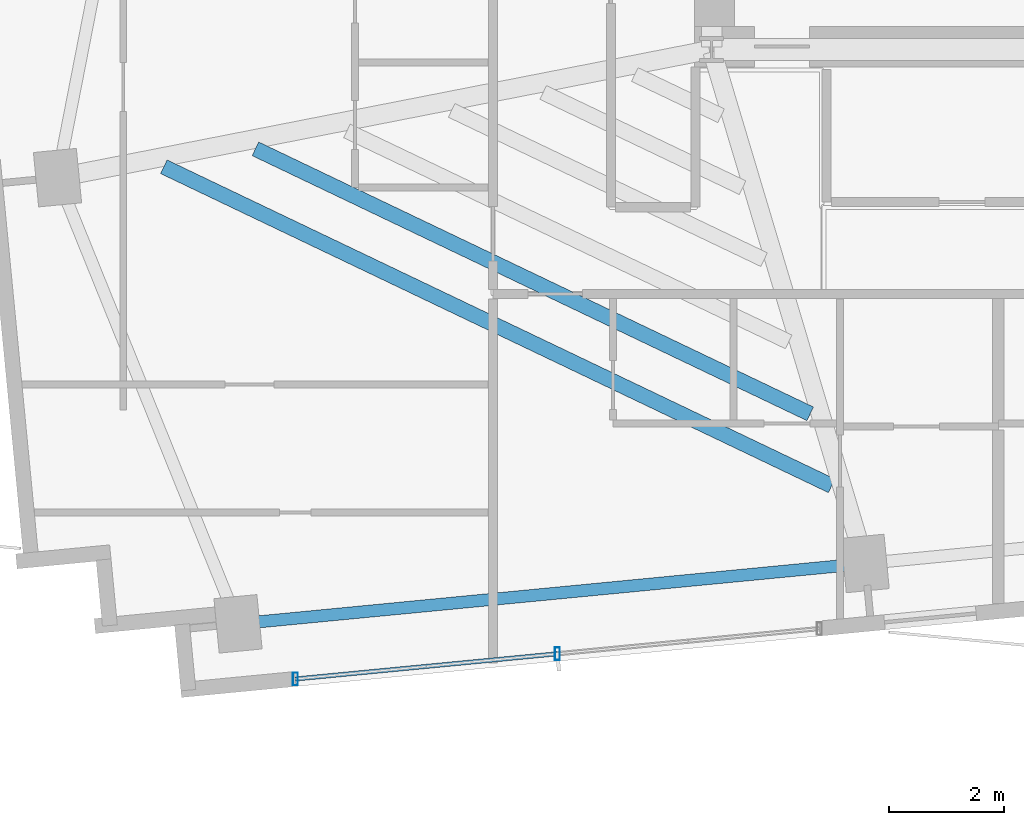
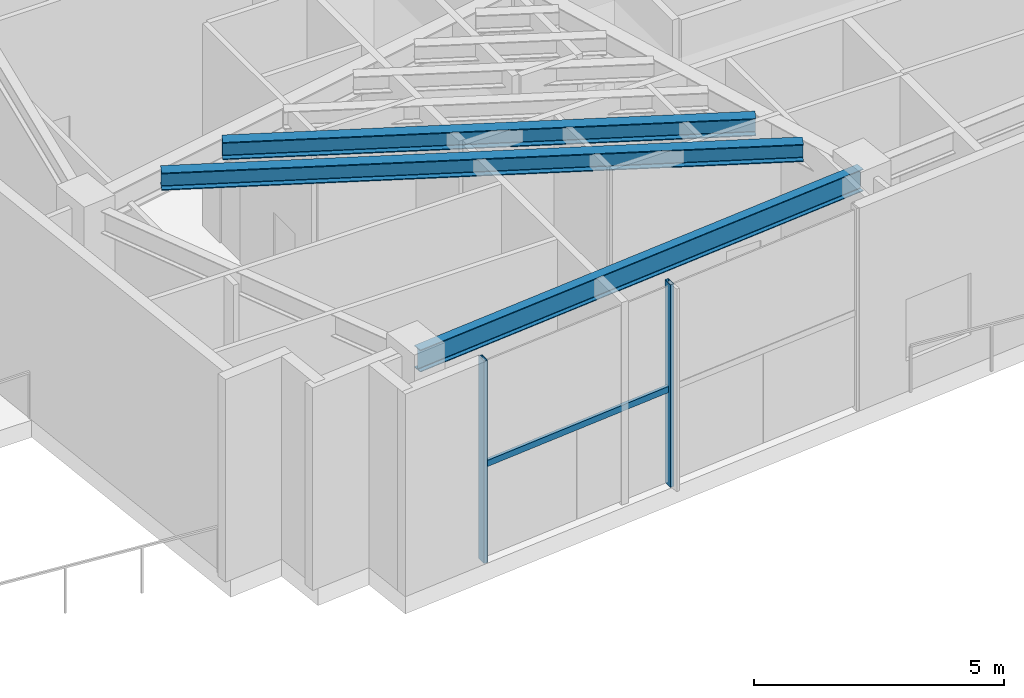
# One storey, part 2 of 21: 3 beams, 3 members, 1 element without a shape of its own.
"""IFC4 building model written with IfcOpenShell, lengths in metres."""

from ifc_helpers import new_model, si_unit, direction, frame, origin, origin_2d, place, context, subcontext, project, spatial, hollow_rectangle, i_section, extrude, source, transform, mapped, material, material_profile, profile_set, type_object, type_shapes, element, aggregate, save


model = new_model("IFC4")

# Units and contexts
model_context = context("Model", 3, precision=1e-05, world=origin(), true_north=direction((0.0, 1.0)))
body_context = subcontext(model_context, "Body", "Model", "MODEL_VIEW")
ifc_project = project(units=[si_unit("LENGTHUNIT", "METRE"), si_unit("AREAUNIT", "SQUARE_METRE"), si_unit("VOLUMEUNIT", "CUBIC_METRE"), si_unit("PLANEANGLEUNIT", "RADIAN"), si_unit("MASSUNIT", "GRAM", prefix="KILO")], contexts=[model_context])

# Site, building, storey
site_placement = place(None, origin())
site = spatial("IfcSite", under=ifc_project, at=site_placement, CompositionType="ELEMENT")
building_placement = place(site_placement, origin())
building = spatial("IfcBuilding", under=site, at=building_placement, Name="Astriad Promenade Condominiums", CompositionType="ELEMENT")
storey_placement = place(building_placement, frame((0.0, 0.0, 167.800048828125)))
storey = spatial("IfcBuildingStorey", under=building, at=storey_placement, Name="L48", CompositionType="ELEMENT", Elevation=167.800048828125)

# Beams
ifc_material_1 = material(Name="Steel ASTM A992 Grade 50", Category="steel")
ifc_material_profile_1 = material_profile(ifc_material_1, i_section(OverallWidth=0.210693359375, OverallDepth=0.53955078125, WebThickness=0.01171875, FlangeThickness=0.018798828125, FilletRadius=0.0166015625, at=origin_2d()), Name="W21X73")
ifc_profile_set_1 = profile_set([ifc_material_profile_1], Name="Steel ASTM A992 Grade 50")
beam_type_1 = type_object("IfcBeamType", Name="STEEL SPANDREL BEAM W21X73", PredefinedType="SPANDREL", material=ifc_profile_set_1)
shared_shape_1 = source(origin(), body_context, "Body", "SweptSolid", [
    extrude(i_section(OverallWidth=0.210693359375, OverallDepth=0.53955078125, WebThickness=0.01171875, FlangeThickness=0.018798828125, FilletRadius=0.0166015625, at=origin_2d()), origin(), (0.0, 0.0, 1.0), 10.8701171875),
])
type_shapes(beam_type_1, [shared_shape_1])
beam_1_placement = place(storey_placement, frame((18.209228515625, 7.421630859375, 4.670166015625), z_axis=(0.995394986184, 0.09585834069, 0.0), x_axis=(-0.09585834069, 0.995394986184, 0.0)))
element("IfcBeam", 1, at=beam_1_placement, inside=storey, type_object=beam_type_1, Name="Perimeter Spandrel Beam SP-S1-L48", PredefinedType="SPANDREL", context=body_context, shape_type="MappedRepresentation", body=[
    mapped(shared_shape_1, transform((0.0, 0.0, 0.0), scale=1.0)),
])
ifc_material_profile_2 = material_profile(ifc_material_1, i_section(OverallWidth=0.26318359375, OverallDepth=0.425537109375, WebThickness=0.01318359375, FlangeThickness=0.022216796875, FilletRadius=0.013916015625, at=origin_2d()), Name="W16X89")
ifc_profile_set_2 = profile_set([ifc_material_profile_2], Name="Steel ASTM A992 Grade 50")
beam_type_2 = type_object("IfcBeamType", Name="STEEL FLOOR JOIST W16X89", PredefinedType="JOIST", material=ifc_profile_set_2)
shared_shape_2 = source(origin(), body_context, "Body", "SweptSolid", [
    extrude(i_section(OverallWidth=0.26318359375, OverallDepth=0.425537109375, WebThickness=0.01318359375, FlangeThickness=0.022216796875, FilletRadius=0.013916015625, at=origin_2d()), origin(), (0.0, 0.0, 1.0), 12.864013671875),
])
beam_2_placement = place(storey_placement, frame((16.8798828125, 15.362060546875, 4.727294921875), z_axis=(0.902332932985, -0.431039763886, 0.0), x_axis=(0.431039763886, 0.902332932985, 0.0)))
element("IfcBeam", 2, at=beam_2_placement, inside=storey, type_object=beam_type_2, Name="Secondary Composite Floor Joist JW1-1-L48", PredefinedType="JOIST", context=body_context, shape_type="MappedRepresentation", body=[
    mapped(shared_shape_2, transform((0.0, 0.0, 0.0), scale=1.0)),
])
shared_shape_3 = source(origin(), body_context, "Body", "SweptSolid", [
    extrude(i_section(OverallWidth=0.26318359375, OverallDepth=0.425537109375, WebThickness=0.01318359375, FlangeThickness=0.022216796875, FilletRadius=0.013916015625, at=origin_2d()), origin(), (0.0, 0.0, 1.0), 10.686279296875),
])
type_shapes(beam_type_2, [shared_shape_2, shared_shape_3])
beam_3_placement = place(storey_placement, frame((18.471435546875, 15.673828125, 4.727294921875), z_axis=(0.902342124644, -0.431020521661, 0.0), x_axis=(0.431020521661, 0.902342124644, 0.0)))
element("IfcBeam", 3, at=beam_3_placement, inside=storey, type_object=beam_type_2, Name="Secondary Composite Floor Joist JW1-2-L48", PredefinedType="JOIST", context=body_context, shape_type="MappedRepresentation", body=[
    mapped(shared_shape_3, transform((0.0, 0.0, 0.0), scale=1.0)),
])

# Curtain wall, members
ifc_material_2 = material(Name="Anodised aluminium Black Dark Glass Unitised", Category="aluminium")
curtain_wall_type = type_object("IfcCurtainWallType", Name="CW-B34-DARK", PredefinedType="USERDEFINED", material=ifc_material_2)
curtain_wall_placement = place(storey_placement, origin())
curtain_wall = element("IfcCurtainWall", 4, at=curtain_wall_placement, inside=storey, type_object=curtain_wall_type, Name="CW-L48-S-5", ObjectType="UNITISED_CURTAIN_WALL", PredefinedType="USERDEFINED")
ifc_material_3 = material(Name="Anodised aluminium 6063-T6 Black", Category="aluminium")
ifc_material_profile_3 = material_profile(ifc_material_3, hollow_rectangle(XDim=0.0849609375, YDim=0.219970703125, WallThickness=0.0048828125, at=origin_2d()), Name="ALU-MUL-85X220")
ifc_profile_set_3 = profile_set([ifc_material_profile_3], Name="Anodised aluminium 6063-T6 Black")
member_type_1 = type_object("IfcMemberType", Name="MUL-ALU-MUL-85X220", PredefinedType="MULLION", material=ifc_profile_set_3)
shared_shape_4 = source(origin(), body_context, "Body", "SweptSolid", [
    extrude(hollow_rectangle(XDim=0.0849609375, YDim=0.219970703125, WallThickness=0.0048828125, at=origin_2d()), origin(), (0.0, 0.0, 1.0), 4.93994140625),
])
type_shapes(member_type_1, [shared_shape_4])
member_1_placement = place(storey_placement, frame((23.719970703125, 6.8974609375, 0.0), z_axis=(0.0, 0.0, 1.0), x_axis=(1.0, 0.0, 0.0)))
member_1 = element("IfcMember", 5, at=member_1_placement, type_object=member_type_1, Name="CW-L48-S-5-MUL-01", PredefinedType="MULLION", context=body_context, shape_type="MappedRepresentation", body=[
    mapped(shared_shape_4, transform((0.0, 0.0, 0.0), scale=1.0)),
])
member_2_placement = place(storey_placement, frame((19.166015625, 6.458984375, 0.0), z_axis=(0.0, 0.0, 1.0), x_axis=(1.0, 0.0, 0.0)))
member_2 = element("IfcMember", 6, at=member_2_placement, type_object=member_type_1, Name="CW-L48-S-5-MUL-02", PredefinedType="MULLION", context=body_context, shape_type="MappedRepresentation", body=[
    mapped(shared_shape_4, transform((0.0, 0.0, 0.0), scale=1.0)),
])
ifc_material_profile_4 = material_profile(ifc_material_3, hollow_rectangle(XDim=0.074951171875, YDim=0.14990234375, WallThickness=0.004150390625, at=origin_2d()), Name="ALU-TRN-75X150")
ifc_profile_set_4 = profile_set([ifc_material_profile_4], Name="Anodised aluminium 6063-T6 Black")
member_type_2 = type_object("IfcMemberType", Name="TRN-ALU-TRN-75X150", PredefinedType="USERDEFINED", material=ifc_profile_set_4)
shared_shape_5 = source(origin(), body_context, "Body", "SweptSolid", [
    extrude(hollow_rectangle(XDim=0.074951171875, YDim=0.14990234375, WallThickness=0.004150390625, at=origin_2d()), origin(), (0.0, 0.0, 1.0), 4.574951171875),
])
type_shapes(member_type_2, [shared_shape_5])
member_3_placement = place(storey_placement, frame((23.719970703125, 6.8974609375, 2.349853515625), z_axis=(-0.995396603696, -0.095841542928, 0.0), x_axis=(0.095841542928, -0.995396603696, 0.0)))
member_3 = element("IfcMember", 7, at=member_3_placement, type_object=member_type_2, Name="CW-L48-S-5-TRN-01-0", ObjectType="TRANSOM", PredefinedType="USERDEFINED", context=body_context, shape_type="MappedRepresentation", body=[
    mapped(shared_shape_5, transform((0.0, 0.0, 0.0), scale=1.0)),
])
aggregate(curtain_wall, [member_1, member_2, member_3])

save(model, "model.ifc")
